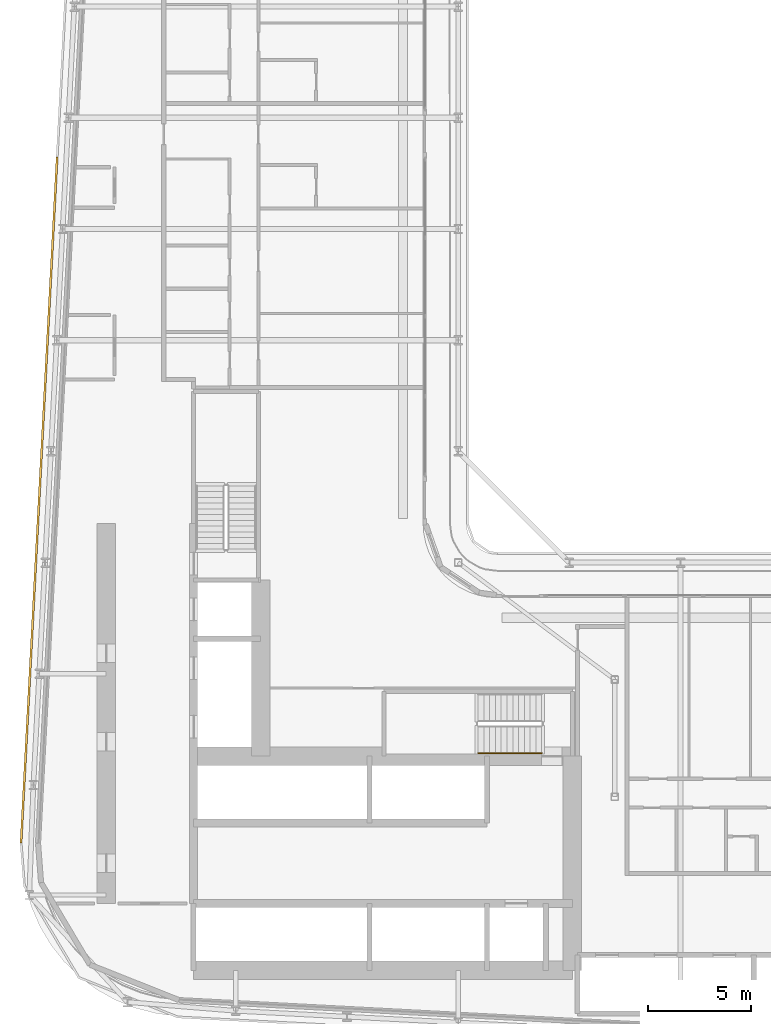
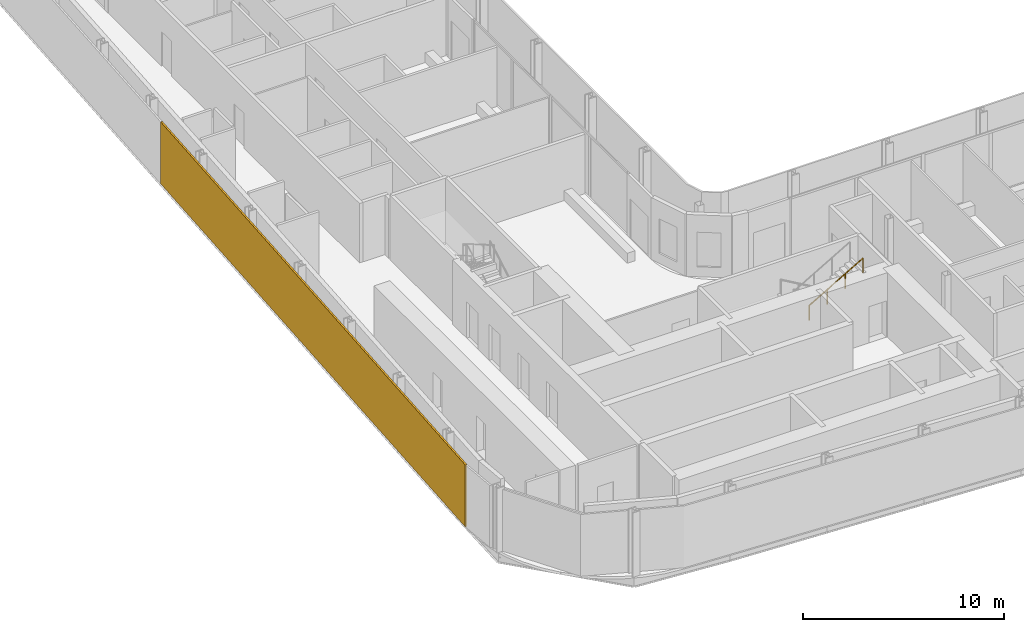
# One storey, part 22 of 28: 1 railing, 1 shading device.
"""IFC4 building model written with IfcOpenShell, lengths in metres."""

import ifcopenshell
import ifcopenshell.guid

model = None  # the IFC model being written
_history = None  # IfcOwnerHistory: only IFC2X3 demands one
_inside = {}  # id of a spatial element -> (the spatial element, [elements in it])
_under = {}  # id of a project, library or spatial element -> (it, [spatial elements below it])
_declared = {}  # id of a project -> (the project, [libraries it declares])
_typed = {}  # id of a type object -> (the type object, [elements of that type])
_made_of = {}  # id of a material, layer set ... -> (it, [elements and type objects made of it])


def new_model(schema):
    """Start an empty IFC model of exactly this schema.

    Asked for "IFC4X3", IfcOpenShell would pick the latest addendum, in which some entities
    have other attributes; the version numbers below select the first issue.
    IFC2X3 requires an IfcOwnerHistory on every rooted entity: one is made here for all.
    """
    global model, _history
    if schema == "IFC4X3":
        model = ifcopenshell.file(schema_version=(4, 3, 0, 0))
    else:
        model = ifcopenshell.file(schema=schema)
    _inside.clear()
    _under.clear()
    _declared.clear()
    _typed.clear()
    _made_of.clear()
    _history = None
    if model.schema == "IFC2X3":
        org = make("IfcOrganization", Name="unknown")
        user = make(
            "IfcPersonAndOrganization",
            ThePerson=make("IfcPerson", FamilyName="unknown"),
            TheOrganization=org,
        )
        app = make(
            "IfcApplication",
            ApplicationDeveloper=org,
            Version="unknown",
            ApplicationFullName="unknown",
            ApplicationIdentifier="unknown",
        )
        _history = make(
            "IfcOwnerHistory",
            OwningUser=user,
            OwningApplication=app,
            ChangeAction="ADDED",
            CreationDate=0,
        )
    return model


def make(cls, **values):
    """One entity of the class cls with the attributes given. An attribute that is None is left unset."""
    return model.create_entity(
        cls, **{name: value for name, value in values.items() if value is not None}
    )


def rooted(cls, **values):
    """An entity with a GlobalId (a new one), such as an element, a storey or a relation."""
    return make(cls, GlobalId=ifcopenshell.guid.new(), OwnerHistory=_history, **values)


def si_unit(unit_type, name, prefix=None):
    """IfcSIUnit, for example si_unit("LENGTHUNIT", "METRE", prefix="MILLI")."""
    return make("IfcSIUnit", UnitType=unit_type, Prefix=prefix, Name=name)


def assignment(units):
    """IfcUnitAssignment: the units of a project."""
    return None if units is None else make("IfcUnitAssignment", Units=units)


def point(xyz):
    """IfcCartesianPoint."""
    return None if xyz is None else make("IfcCartesianPoint", Coordinates=xyz)


def direction(xyz):
    """IfcDirection."""
    return None if xyz is None else make("IfcDirection", DirectionRatios=xyz)


def frame(location, z_axis=None, x_axis=None):
    """IfcAxis2Placement3D, a coordinate frame: its origin and axes. An axis left out is left unset."""
    return make(
        "IfcAxis2Placement3D",
        Location=point(location),
        Axis=direction(z_axis),
        RefDirection=direction(x_axis),
    )


def frame_2d(location, x_axis=None):
    """IfcAxis2Placement2D, a coordinate frame in the plane: its origin and x axis."""
    return make(
        "IfcAxis2Placement2D", Location=point(location), RefDirection=direction(x_axis)
    )


def origin():
    """The frame at (0, 0, 0) with its axes left unset."""
    return frame((0.0, 0.0, 0.0))


def origin_2d():
    """The frame at (0, 0) in the plane with its x axis left unset."""
    return frame_2d((0.0, 0.0))


def place(relative_to, where):
    """IfcLocalPlacement: puts the frame where relative to a parent placement (None: the world)."""
    return make(
        "IfcLocalPlacement", PlacementRelTo=relative_to, RelativePlacement=where
    )


def context(
    kind, dimensions, precision=None, world=None, true_north=None, identifier=None
):
    """IfcGeometricRepresentationContext, for example the 3D "Model" context."""
    return make(
        "IfcGeometricRepresentationContext",
        ContextIdentifier=identifier,
        ContextType=kind,
        CoordinateSpaceDimension=dimensions,
        Precision=precision,
        WorldCoordinateSystem=world,
        TrueNorth=true_north,
    )


def subcontext(parent, identifier, kind, view, scale=None):
    """IfcGeometricRepresentationSubContext, for example "Body" below "Model"."""
    return make(
        "IfcGeometricRepresentationSubContext",
        ContextIdentifier=identifier,
        ContextType=kind,
        ParentContext=parent,
        TargetScale=scale,
        TargetView=view,
    )


def project(units=None, contexts=None):
    """IfcProject with its units and contexts."""
    return rooted(
        "IfcProject",
        Name="project",
        RepresentationContexts=contexts,
        UnitsInContext=assignment(units),
    )


def spatial(cls, under=None, at=None, **own):
    """A site, building, storey or space (cls), placed at a placement, below another one or the project."""
    s = rooted(cls, ObjectPlacement=at, **own)
    if under is not None:
        _under.setdefault(under.id(), (under, []))[1].append(s)
    return s


def profile(cls, at=None, kind="AREA", **sizes):
    """A parametric profile (cls). Its sizes go by their IFC names, for example OverallWidth=200.0."""
    return make(cls, ProfileType=kind, Position=at, **sizes)


def rectangle(**sizes):
    """IfcRectangleProfileDef."""
    return profile("IfcRectangleProfileDef", **sizes)


def circle(**sizes):
    """IfcCircleProfileDef."""
    return profile("IfcCircleProfileDef", **sizes)


def extrude(swept, where, along, depth):
    """IfcExtrudedAreaSolid: the profile swept, set in the frame where, extruded along a direction by depth."""
    return make(
        "IfcExtrudedAreaSolid",
        SweptArea=swept,
        Position=where,
        ExtrudedDirection=direction(along),
        Depth=depth,
    )


def shape(context_of_items, identifier, shape_type, items):
    """IfcShapeRepresentation: the items that make up one representation, for example the "Body"."""
    return make(
        "IfcShapeRepresentation",
        ContextOfItems=context_of_items,
        RepresentationIdentifier=identifier,
        RepresentationType=shape_type,
        Items=items,
    )


def material(Name=None, Category=None):
    """IfcMaterial."""
    return make("IfcMaterial", Name=Name, Category=Category)


def layer(
    of_material, thickness, ventilated=None, Name=None, Category=None, Priority=None
):
    """IfcMaterialLayer: one layer of a wall or slab, of a material (None: an air gap)."""
    return make(
        "IfcMaterialLayer",
        Material=of_material,
        LayerThickness=thickness,
        IsVentilated=ventilated,
        Name=Name,
        Category=Category,
        Priority=Priority,
    )


def layer_set(layers, Name=None):
    """IfcMaterialLayerSet."""
    return make("IfcMaterialLayerSet", MaterialLayers=layers, LayerSetName=Name)


def made_of(thing, what):
    """Note that an element or type object is made of a material, layer set ...; save() writes the relation."""
    if what is not None:
        _made_of.setdefault(what.id(), (what, []))[1].append(thing)
    return thing


def type_object(cls, material=None, **own):
    """A type object (cls), such as IfcWallType, which elements share."""
    return made_of(rooted(cls, **own), material)


def element(
    cls,
    number,
    at=None,
    inside=None,
    cuts=None,
    type_object=None,
    material=None,
    context=None,
    identifier="Body",
    shape_type=None,
    held_by="IfcProductDefinitionShape",
    body=None,
    shapes=None,
    **own,
):
    """One element of the class cls, such as IfcWall. Its Tag is "e" and its number.

    at: its placement. inside: the storey or other place that contains it. cuts: it is an
    opening in that element (IfcRelVoidsElement). A single representation is given by context,
    identifier, shape_type and body (its items); several are given by shapes. held_by: the class
    of the entity that holds the representations. save() writes the other relations.
    """
    e = rooted(cls, Tag="e%d" % number, ObjectPlacement=at, **own)
    if body is not None:
        shapes = [shape(context, identifier, shape_type, body)]
    if shapes is not None:
        e.Representation = make(held_by, Representations=shapes)
    if inside is not None:
        _inside.setdefault(inside.id(), (inside, []))[1].append(e)
    if cuts is not None:
        rooted(
            "IfcRelVoidsElement", RelatingBuildingElement=cuts, RelatedOpeningElement=e
        )
    if type_object is not None:
        _typed.setdefault(type_object.id(), (type_object, []))[1].append(e)
    return made_of(e, material)


def aggregate(whole, parts):
    """IfcRelAggregates: a whole, such as a stair, and the parts it consists of."""
    return rooted("IfcRelAggregates", RelatingObject=whole, RelatedObjects=parts)


def save(model, path):
    """Write the relations noted so far, then the file.

    IfcRelAggregates (storeys below a building ...), IfcRelContainedInSpatialStructure (elements
    in a storey), IfcRelDefinesByType, IfcRelAssociatesMaterial and IfcRelDeclares: one each for
    every whole, place, type object, material and project.
    """
    for whole, parts in _under.values():
        aggregate(whole, parts)
    for where, things in _inside.values():
        rooted(
            "IfcRelContainedInSpatialStructure",
            RelatedElements=things,
            RelatingStructure=where,
        )
    for kind, things in _typed.values():
        rooted("IfcRelDefinesByType", RelatedObjects=things, RelatingType=kind)
    for what, things in _made_of.values():
        rooted("IfcRelAssociatesMaterial", RelatedObjects=things, RelatingMaterial=what)
    for by, libraries in _declared.values():
        rooted("IfcRelDeclares", RelatingContext=by, RelatedDefinitions=libraries)
    model.write(path)


model = new_model("IFC4")

# Units and contexts
model_context = context("Model", 3, precision=1e-05, world=origin(), true_north=direction((0.0, 1.0)))
body_context = subcontext(model_context, "Body", "Model", "MODEL_VIEW")
ifc_project = project(units=[si_unit("LENGTHUNIT", "METRE"), si_unit("AREAUNIT", "SQUARE_METRE"), si_unit("VOLUMEUNIT", "CUBIC_METRE"), si_unit("PLANEANGLEUNIT", "RADIAN"), si_unit("MASSUNIT", "GRAM", prefix="KILO")], contexts=[model_context])

# Site, building, storey
site_placement = place(None, origin())
site = spatial("IfcSite", under=ifc_project, at=site_placement, CompositionType="ELEMENT")
building_placement = place(site_placement, origin())
building = spatial("IfcBuilding", under=site, at=building_placement, Name="Kheshtan School and Residences Tower", CompositionType="ELEMENT")
storey_placement = place(building_placement, frame((0.0, 0.0, 137.0)))
storey = spatial("IfcBuildingStorey", under=building, at=storey_placement, Name="L32", CompositionType="ELEMENT", Elevation=137.0)

# Shading device
ifc_material_1 = material(Name="Terracotta baguette, extruded ceramic", Category="masonry")
ifc_layer = layer(ifc_material_1, 0.10009765625)
ifc_layer_set = layer_set([ifc_layer], Name="Ledge screen, terracotta baguettes")
shading_device_type = type_object("IfcShadingDeviceType", Name="Ledge screen, terracotta baguettes", PredefinedType="USERDEFINED", material=ifc_layer_set)
shading_device_placement = place(storey_placement, frame((27.24609375, 48.638916015625, 0.0), z_axis=(0.0, 0.0, 1.0), x_axis=(0.052562536748, 0.998617634398, 0.0)))
element("IfcShadingDevice", 1, at=shading_device_placement, inside=storey, type_object=shading_device_type, Name="Screen L32 4", ObjectType="BAGUETTE", PredefinedType="USERDEFINED", context=body_context, shape_type="SweptSolid", body=[
    extrude(rectangle(XDim=33.341064453125, YDim=0.10009765625, at=origin_2d()), origin(), (0.0, 0.0, 1.0), 3.75),
])

# Railing
ifc_material_2 = material(Name="Stainless steel handrail", Category="steel")
railing_type = type_object("IfcRailingType", Name="Stair handrail 900", PredefinedType="HANDRAIL", material=ifc_material_2)
railing_placement = place(storey_placement, frame((48.570068359375, 36.35009765625, 2.112548828125)))
element("IfcRailing", 2, at=railing_placement, inside=storey, type_object=railing_type, Name="L32 ST1 stair handrail 2", PredefinedType="HANDRAIL", context=body_context, shape_type="SweptSolid", body=[
    extrude(circle(Radius=0.02392578125, at=origin_2d()), frame((0.0, 0.0, 0.8759765625), z_axis=(0.864903211148, 0.0, 0.501938676878), x_axis=(0.0, 1.0, 0.0)), (0.0, 0.0, 1.0), 3.560791015625),
    extrude(circle(Radius=0.02099609375, at=origin_2d()), origin(), (0.0, 0.0, 1.0), 0.851806640625),
    extrude(circle(Radius=0.02099609375, at=origin_2d()), frame((1.026611328125, 0.0, 0.595703125)), (0.0, 0.0, 1.0), 0.851806640625),
    extrude(circle(Radius=0.02099609375, at=origin_2d()), frame((2.05322265625, 0.0, 1.191650390625)), (0.0, 0.0, 1.0), 0.851806640625),
    extrude(circle(Radius=0.02099609375, at=origin_2d()), frame((3.079833984375, 0.0, 1.787353515625)), (0.0, 0.0, 1.0), 0.851806640625),
])

save(model, "model.ifc")
